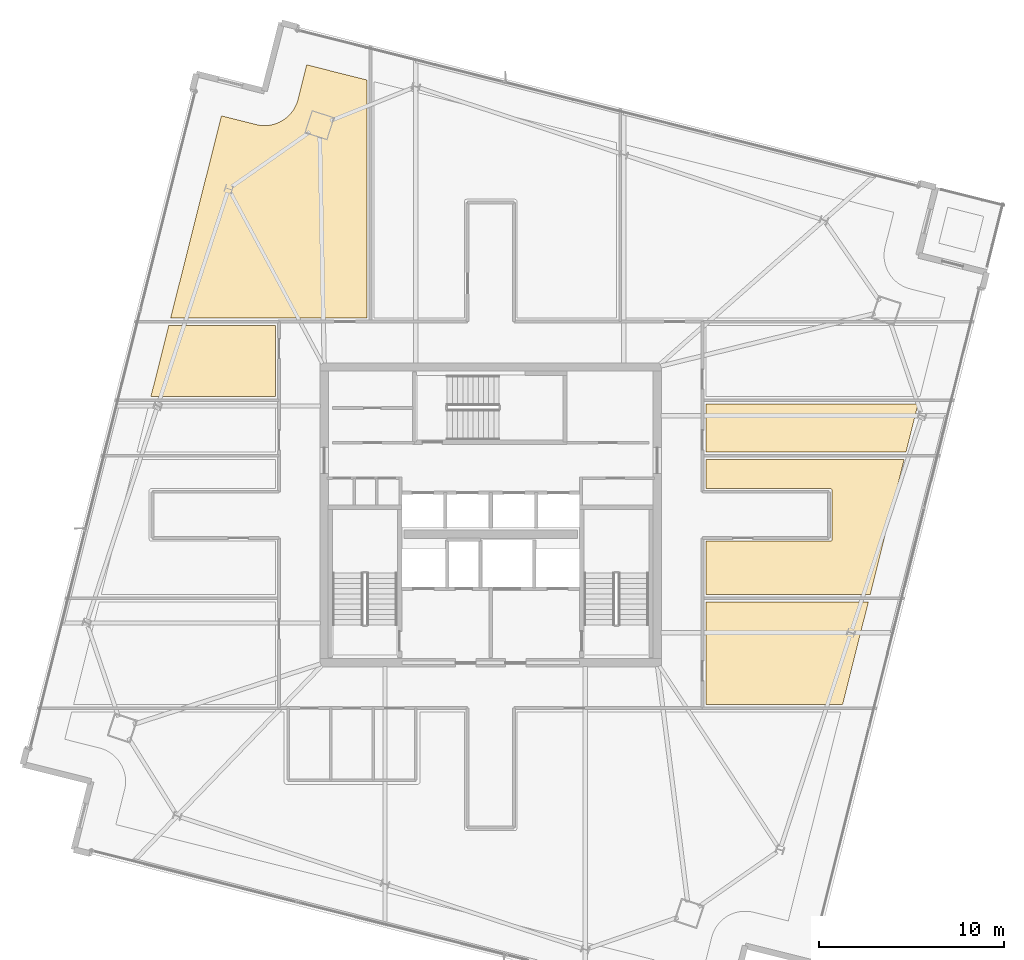
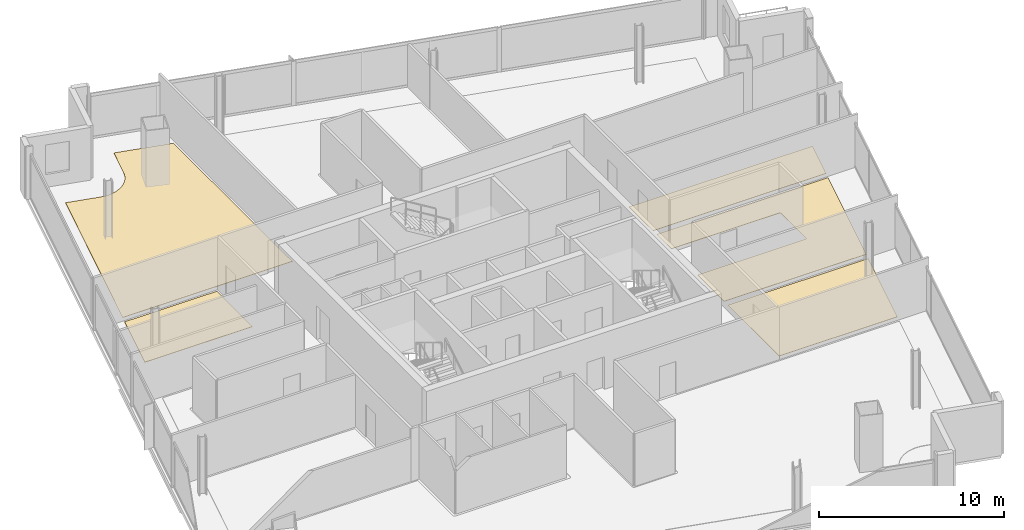
# One storey, part 26 of 28: 5 coverings.
"""IFC4 building model written with IfcOpenShell, lengths in metres."""

from ifc_helpers import new_model, si_unit, direction, frame, origin, place, context, subcontext, project, spatial, polyline, outline, extrude, material, layer, layer_set, type_object, element, save


model = new_model("IFC4")

# Units and contexts
model_context = context("Model", 3, precision=1e-05, world=origin(), true_north=direction((0.0, 1.0)))
body_context = subcontext(model_context, "Body", "Model", "MODEL_VIEW")
ifc_project = project(units=[si_unit("LENGTHUNIT", "METRE"), si_unit("AREAUNIT", "SQUARE_METRE"), si_unit("VOLUMEUNIT", "CUBIC_METRE"), si_unit("PLANEANGLEUNIT", "RADIAN"), si_unit("MASSUNIT", "GRAM", prefix="KILO")], contexts=[model_context])

# Site, building, storey
site_placement = place(None, origin())
site = spatial("IfcSite", under=ifc_project, at=site_placement, CompositionType="ELEMENT")
building_placement = place(site_placement, origin())
building = spatial("IfcBuilding", under=site, at=building_placement, Name="Haldenkirk Collegiate Tower", CompositionType="ELEMENT")
storey_placement = place(building_placement, frame((0.0, 0.0, 282.449951171875)))
storey = spatial("IfcBuildingStorey", under=building, at=storey_placement, Name="L71", CompositionType="ELEMENT", Elevation=282.449951171875)

# Coverings
ifc_material_1 = material(Name="Polished collegiate terrazzo", Category="concrete")
ifc_layer_1 = layer(ifc_material_1, 0.02490234375)
ifc_layer_set_1 = layer_set([ifc_layer_1], Name="Polished collegiate terrazzo")
covering_type_1 = type_object("IfcCoveringType", Name="COV-FLOOR-TERRAZZO", PredefinedType="FLOORING", material=ifc_layer_set_1)
covering_1_placement = place(storey_placement, origin())
element("IfcCovering", 1, at=covering_1_placement, inside=storey, type_object=covering_type_1, Name="L71 academic room finish 02", PredefinedType="FLOORING", context=body_context, shape_type="SweptSolid", body=[
    extrude(outline(polyline([(23.309814453125, 47.107421875), (23.3154296875, 47.106201171875), (23.48388671875, 47.072509765625), (23.49560546875, 47.07080078125), (23.66650390625, 47.053955078125), (23.67822265625, 47.05322265625), (23.849853515625, 47.05322265625), (23.86181640625, 47.0537109375), (24.03271484375, 47.070556640625), (24.044189453125, 47.072265625), (24.212646484375, 47.105712890625), (24.22412109375, 47.1083984375), (24.388427734375, 47.158203125), (24.399658203125, 47.162109375), (24.558349609375, 47.227783203125), (24.569091796875, 47.232666015625), (24.720458984375, 47.313720703125), (24.730712890625, 47.319580078125), (24.873291015625, 47.4150390625), (24.8828125, 47.421875), (25.015625, 47.53076171875), (25.0244140625, 47.538818359375), (25.14599609375, 47.66015625), (25.15380859375, 47.668701171875), (25.262939453125, 47.801513671875), (25.27001953125, 47.81103515625), (25.365478515625, 47.95361328125), (25.37158203125, 47.963623046875), (25.45263671875, 48.114990234375), (25.45751953125, 48.125732421875), (25.5234375, 48.284423828125), (25.52734375, 48.29541015625), (25.577392578125, 48.459716796875), (25.5791015625, 48.465576171875), (26.04931640625, 50.33740234375), (29.300048828125, 49.520751953125), (29.300048828125, 36.64990234375), (18.693115234375, 36.64990234375), (21.43798828125, 47.57763671875), (23.309814453125, 47.107421875)])), origin(), (0.0, 0.0, 1.0), 0.025146484375),
])
covering_2_placement = place(storey_placement, origin())
element("IfcCovering", 2, at=covering_2_placement, inside=storey, type_object=covering_type_1, Name="L71 academic room finish 08", PredefinedType="FLOORING", context=body_context, shape_type="SweptSolid", body=[
    extrude(outline(polyline([(18.592529296875, 36.25), (24.35009765625, 36.25), (24.35009765625, 32.39990234375), (17.62548828125, 32.39990234375), (18.592529296875, 36.25)])), origin(), (0.0, 0.0, 1.0), 0.025146484375),
])
covering_3_placement = place(storey_placement, origin())
element("IfcCovering", 3, at=covering_3_placement, inside=storey, type_object=covering_type_1, Name="L71 academic room finish 10", PredefinedType="FLOORING", context=body_context, shape_type="SweptSolid", body=[
    extrude(outline(polyline([(54.35009765625, 24.580078125), (54.36181640625, 24.58056640625), (54.373291015625, 24.582275390625), (54.384765625, 24.585205078125), (54.39599609375, 24.589111328125), (54.406494140625, 24.59423828125), (54.416748046875, 24.60009765625), (54.426025390625, 24.607177734375), (54.434814453125, 24.614990234375), (54.44287109375, 24.623779296875), (54.44970703125, 24.63330078125), (54.455810546875, 24.643310546875), (54.4609375, 24.654052734375), (54.46484375, 24.665283203125), (54.4677734375, 24.676513671875), (54.469482421875, 24.688232421875), (54.469970703125, 24.699951171875), (54.469970703125, 27.300048828125), (54.469482421875, 27.311767578125), (54.4677734375, 27.323486328125), (54.46484375, 27.334716796875), (54.4609375, 27.345947265625), (54.455810546875, 27.356689453125), (54.44970703125, 27.36669921875), (54.44287109375, 27.376220703125), (54.434814453125, 27.385009765625), (54.426025390625, 27.392822265625), (54.416748046875, 27.39990234375), (54.406494140625, 27.40576171875), (54.39599609375, 27.410888671875), (54.384765625, 27.414794921875), (54.373291015625, 27.417724609375), (54.36181640625, 27.41943359375), (54.35009765625, 27.419921875), (47.64990234375, 27.419921875), (47.64990234375, 29.0), (58.359375, 29.0), (56.52587890625, 21.699951171875), (47.64990234375, 21.699951171875), (47.64990234375, 24.580078125), (54.35009765625, 24.580078125)])), origin(), (0.0, 0.0, 1.0), 0.025146484375),
])
ifc_material_2 = material(Name="Engineered collegiate oak acoustic flooring", Category="wood")
ifc_layer_2 = layer(ifc_material_2, 0.02197265625)
ifc_layer_set_2 = layer_set([ifc_layer_2], Name="Engineered collegiate oak acoustic flooring")
covering_type_2 = type_object("IfcCoveringType", Name="COV-FLOOR-TIMBER", PredefinedType="FLOORING", material=ifc_layer_set_2)
covering_4_placement = place(storey_placement, origin())
element("IfcCovering", 4, at=covering_4_placement, inside=storey, type_object=covering_type_2, Name="L71 academic room finish 09", PredefinedType="FLOORING", context=body_context, shape_type="SweptSolid", body=[
    extrude(outline(polyline([(55.03125, 15.75), (47.64990234375, 15.75), (47.64990234375, 21.300048828125), (56.42529296875, 21.300048828125), (55.03125, 15.75)])), origin(), (0.0, 0.0, 1.0), 0.02197265625),
])
covering_5_placement = place(storey_placement, origin())
element("IfcCovering", 5, at=covering_5_placement, inside=storey, type_object=covering_type_2, Name="L71 academic room finish 11", PredefinedType="FLOORING", context=body_context, shape_type="SweptSolid", body=[
    extrude(outline(polyline([(58.4599609375, 29.39990234375), (47.64990234375, 29.39990234375), (47.64990234375, 32.0), (59.113037109375, 32.0), (58.4599609375, 29.39990234375)])), origin(), (0.0, 0.0, 1.0), 0.02197265625),
])

save(model, "model.ifc")
